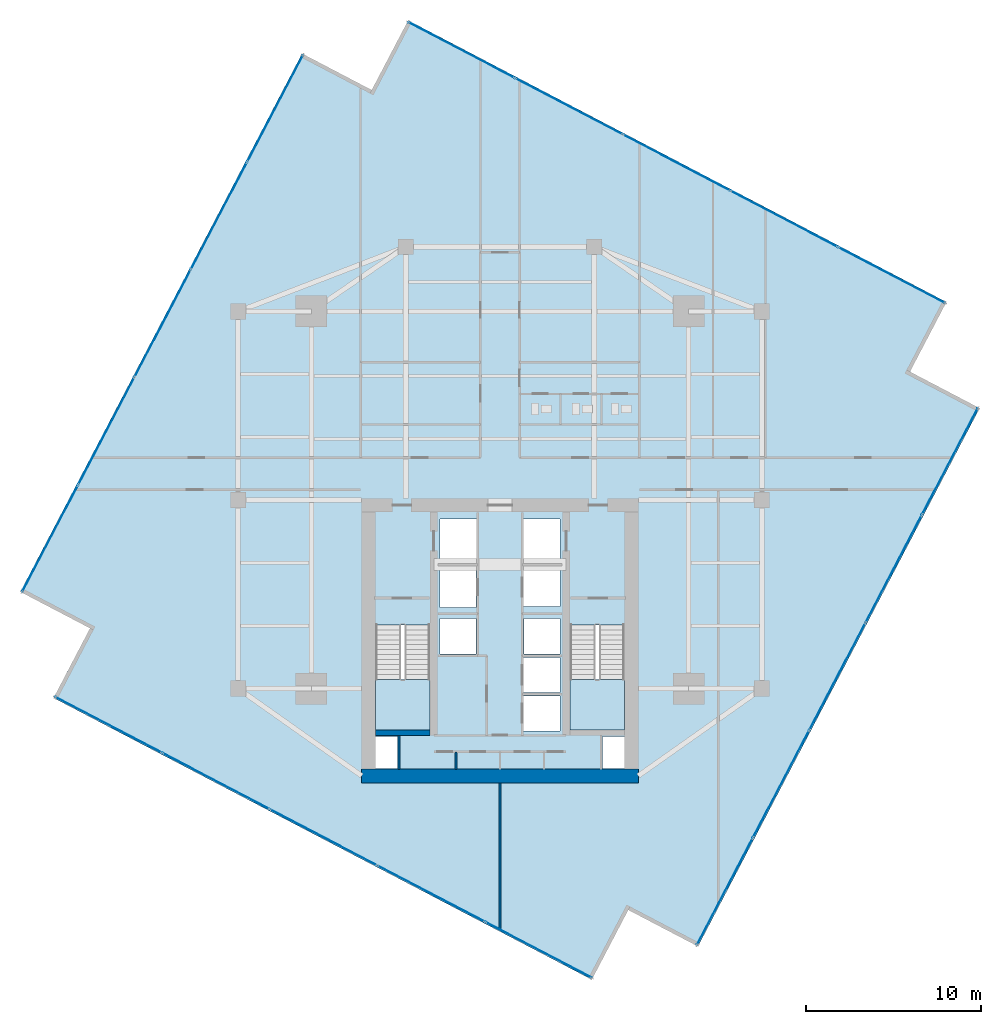
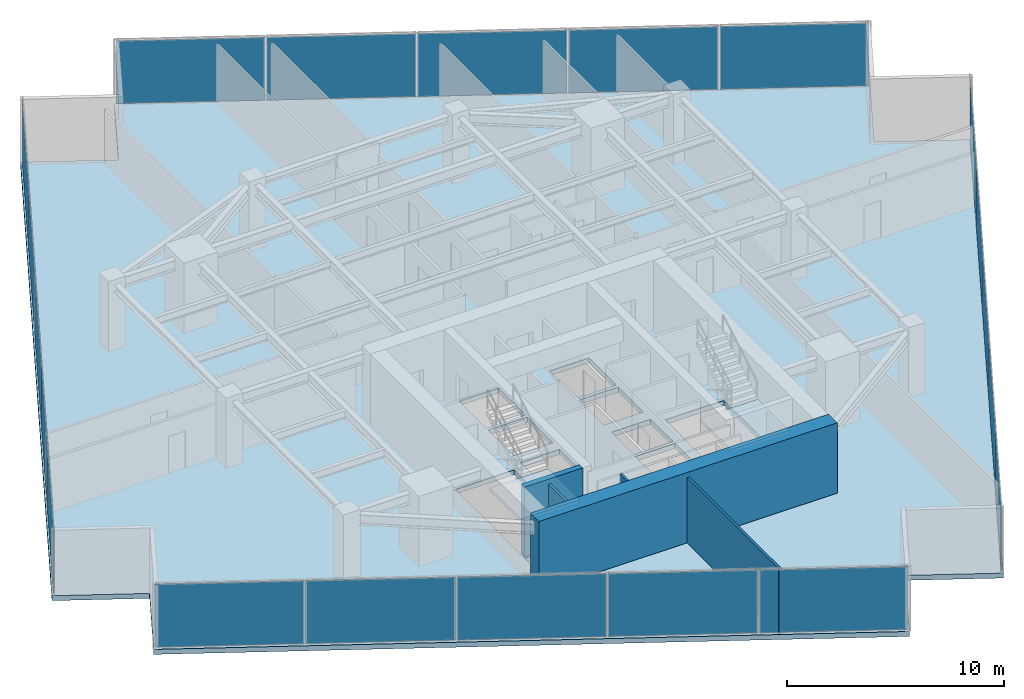
# One storey, part 22 of 27: 20 plates, 5 walls, 3 slabs, 6 elements without a shape of their own.
"""IFC4 building model written with IfcOpenShell, lengths in metres."""

from ifc_helpers import new_model, si_unit, direction, frame, frame_2d, origin, origin_2d, place, context, subcontext, project, spatial, polyline, rectangle, outline, extrude, source, transform, mapped, material, layer, layer_set, type_object, type_shapes, element, aggregate, save


model = new_model("IFC4")

# Units and contexts
model_context = context("Model", 3, precision=1e-05, world=origin(), true_north=direction((0.0, 1.0)))
body_context = subcontext(model_context, "Body", "Model", "MODEL_VIEW")
ifc_project = project(units=[si_unit("LENGTHUNIT", "METRE"), si_unit("AREAUNIT", "SQUARE_METRE"), si_unit("VOLUMEUNIT", "CUBIC_METRE"), si_unit("PLANEANGLEUNIT", "RADIAN"), si_unit("MASSUNIT", "GRAM", prefix="KILO")], contexts=[model_context])

# Site, building, storey
site_placement = place(None, origin())
site = spatial("IfcSite", under=ifc_project, at=site_placement, CompositionType="ELEMENT")
building_placement = place(site_placement, origin())
building = spatial("IfcBuilding", under=site, at=building_placement, Name="Krantzveldt Concourse Tower", CompositionType="ELEMENT")
storey_placement = place(building_placement, frame((0.0, 0.0, 158.050048828125)))
storey = spatial("IfcBuildingStorey", under=building, at=storey_placement, Name="L38", CompositionType="ELEMENT", Elevation=158.050048828125)

# Stair, slab
ifc_material_1 = material(Name="Precast concrete C40/50", Category="concrete")
stair_type = type_object("IfcStairType", Name="STR-CORE-DOGLEG", PredefinedType="HALF_TURN_STAIR", material=ifc_material_1)
stair_1_placement = place(storey_placement, origin())
stair_1 = element("IfcStair", 1, at=stair_1_placement, inside=storey, type_object=stair_type, Name="L38 Protected Escape Stair ST-1", PredefinedType="HALF_TURN_STAIR")
ifc_layer_1 = layer(ifc_material_1, 0.199951171875, Name="Precast concrete C40/50", Category="concrete")
ifc_layer_set_1 = layer_set([ifc_layer_1], Name="Precast concrete C40/50 (SL-LANDING-200)")
slab_type_1 = type_object("IfcSlabType", Name="SL-LANDING-200", PredefinedType="LANDING", material=ifc_layer_set_1)
slab_1_placement = place(storey_placement, frame((0.0, 0.0, 1.77490234375)))
slab_1 = element("IfcSlab", 2, at=slab_1_placement, type_object=slab_type_1, Name="ST-1 landing 1", PredefinedType="LANDING", context=body_context, shape_type="SweptSolid", body=[
    extrude(outline(polyline([(28.8798828125, 16.4150390625), (28.8798828125, 13.52001953125), (31.97998046875, 13.52001953125), (31.97998046875, 16.4150390625), (28.8798828125, 16.4150390625)])), origin(), (0.0, 0.0, 1.0), 0.199951171875),
])
aggregate(stair_1, [slab_1])

stair_2_placement = place(storey_placement, origin())
stair_2 = element("IfcStair", 3, at=stair_2_placement, inside=storey, type_object=stair_type, Name="L38 Protected Escape Stair ST-2", PredefinedType="HALF_TURN_STAIR")
slab_2_placement = place(storey_placement, frame((0.0, 0.0, 1.77490234375)))
slab_2 = element("IfcSlab", 4, at=slab_2_placement, type_object=slab_type_1, Name="ST-2 landing 1", PredefinedType="LANDING", context=body_context, shape_type="SweptSolid", body=[
    extrude(outline(polyline([(40.02001953125, 16.4150390625), (40.02001953125, 13.52001953125), (43.1201171875, 13.52001953125), (43.1201171875, 16.4150390625), (40.02001953125, 16.4150390625)])), origin(), (0.0, 0.0, 1.0), 0.199951171875),
])
aggregate(stair_2, [slab_2])

# Slab
ifc_material_2 = material(Name="Concrete C40/50", Category="concrete")
ifc_layer_2 = layer(ifc_material_2, 0.280029296875, Name="Concrete C40/50", Category="concrete")
ifc_layer_set_2 = layer_set([ifc_layer_2], Name="Concrete C40/50 (SL-SL-TWR280)")
slab_type_2 = type_object("IfcSlabType", Name="SL-SL-TWR280", PredefinedType="FLOOR", material=ifc_layer_set_2)
slab_3_placement = place(storey_placement, frame((0.0, 0.0, -0.280029296875)))
element("IfcSlab", 5, at=slab_3_placement, inside=storey, type_object=slab_type_2, Name="SL-L38-MAIN", PredefinedType="FLOOR", context=body_context, shape_type="SweptSolid", body=[
    extrude(outline(polyline([(28.651611328125, 50.1845703125), (24.66455078125, 52.27099609375), (8.528564453125, 21.438232421875), (12.515380859375, 19.3515625), (10.428955078125, 15.36474609375), (41.26171875, -0.771484375), (43.348388671875, 3.215576171875), (47.33544921875, 1.12890625), (63.471435546875, 31.961669921875), (59.484619140625, 34.04833984375), (61.571044921875, 38.035400390625), (30.73828125, 54.171630859375), (28.651611328125, 50.1845703125)]), holes=[polyline([(28.8798828125, 19.547607421875), (28.8798828125, 13.52001953125), (31.97998046875, 13.52001953125), (31.97998046875, 19.547607421875), (28.8798828125, 19.547607421875)]), polyline([(40.02001953125, 19.547607421875), (40.02001953125, 13.52001953125), (43.1201171875, 13.52001953125), (43.1201171875, 19.547607421875), (40.02001953125, 19.547607421875)]), polyline([(32.550048828125, 23.10009765625), (34.64990234375, 23.10009765625), (34.64990234375, 25.60009765625), (32.550048828125, 25.60009765625), (32.550048828125, 23.10009765625)]), polyline([(37.35009765625, 23.10009765625), (39.449951171875, 23.10009765625), (39.449951171875, 25.60009765625), (37.35009765625, 25.60009765625), (37.35009765625, 23.10009765625)]), polyline([(37.35009765625, 20.60009765625), (39.449951171875, 20.60009765625), (39.449951171875, 22.89990234375), (37.35009765625, 22.89990234375), (37.35009765625, 20.60009765625)]), polyline([(37.35009765625, 13.47998046875), (39.449951171875, 13.47998046875), (39.449951171875, 15.47998046875), (37.35009765625, 15.47998046875), (37.35009765625, 13.47998046875)]), polyline([(37.35009765625, 15.679931640625), (39.449951171875, 15.679931640625), (39.449951171875, 17.679931640625), (37.35009765625, 17.679931640625), (37.35009765625, 15.679931640625)]), polyline([(32.550048828125, 20.550048828125), (34.6201171875, 20.550048828125), (34.6201171875, 22.89990234375), (32.550048828125, 22.89990234375), (32.550048828125, 20.550048828125)]), polyline([(32.550048828125, 17.8798828125), (34.6201171875, 17.8798828125), (34.6201171875, 19.919921875), (32.550048828125, 19.919921875), (32.550048828125, 17.8798828125)]), polyline([(37.3798828125, 17.8798828125), (39.449951171875, 17.8798828125), (39.449951171875, 19.919921875), (37.3798828125, 19.919921875), (37.3798828125, 17.8798828125)]), polyline([(28.8798828125, 11.320068359375), (30.139892578125, 11.320068359375), (30.139892578125, 13.159912109375), (28.8798828125, 13.159912109375), (28.8798828125, 11.320068359375)]), polyline([(41.860107421875, 11.320068359375), (43.1201171875, 11.320068359375), (43.1201171875, 13.159912109375), (41.860107421875, 13.159912109375), (41.860107421875, 11.320068359375)])]), origin(), (0.0, 0.0, 1.0), 0.280029296875),
])

# Curtain wall, plates
ifc_material_3 = material(Name="Anodised aluminium 6063-T6", Category="aluminium")
curtain_wall_type = type_object("IfcCurtainWallType", Name="CW3", PredefinedType="USERDEFINED", material=ifc_material_3)
curtain_wall_1_placement = place(storey_placement, origin())
curtain_wall_1 = element("IfcCurtainWall", 6, at=curtain_wall_1_placement, inside=storey, type_object=curtain_wall_type, Name="CW-L38-F01", ObjectType="UNITISED CURTAIN WALL", PredefinedType="USERDEFINED")
ifc_material_4 = material(Name="Bronze-tinted laminated low-E IGU glass", Category="glass")
ifc_layer_3 = layer(ifc_material_4, 0.031982421875, Name="Bronze-tinted laminated low-E IGU glass", Category="glass")
ifc_layer_set_3 = layer_set([ifc_layer_3], Name="Bronze-tinted laminated low-E IGU glass (CW-GLZ-32)")
plate_type = type_object("IfcPlateType", Name="CW-GLZ-32", PredefinedType="CURTAIN_PANEL", material=ifc_layer_set_3)
shared_shape_1 = source(origin(), body_context, "Body", "SweptSolid", [
    extrude(rectangle(XDim=6.85498046875, YDim=0.031982421875, at=origin_2d()), origin(), (0.0, 0.0, 1.0), 3.530029296875),
])
plate_1_placement = place(storey_placement, frame((23.12255859375, 49.130615234375, 0.06982421875), z_axis=(0.0, 0.0, 1.0), x_axis=(-0.463682819502, -0.886001265743, 0.0)))
plate_1 = element("IfcPlate", 7, at=plate_1_placement, type_object=plate_type, Name="CW-Z34 panel 1.1", PredefinedType="CURTAIN_PANEL", context=body_context, shape_type="MappedRepresentation", body=[
    mapped(shared_shape_1, transform((0.0, 0.0, 0.0), x_axis=(1.0, 0.0, 0.0), y_axis=(0.0, 1.0, 0.0), z_axis=(0.0, 0.0, 1.0), scale=1.0)),
])
plate_2_placement = place(storey_placement, frame((10.22998046875, 24.495361328125, 0.06982421875), z_axis=(0.0, 0.0, 1.0), x_axis=(-0.463682819502, -0.886001265743, 0.0)))
plate_2 = element("IfcPlate", 8, at=plate_2_placement, type_object=plate_type, Name="CW-Z34 panel 5.1", PredefinedType="CURTAIN_PANEL", context=body_context, shape_type="MappedRepresentation", body=[
    mapped(shared_shape_1, transform((0.0, 0.0, 0.0), x_axis=(1.0, 0.0, 0.0), y_axis=(0.0, 1.0, 0.0), z_axis=(0.0, 0.0, 1.0), scale=1.0)),
])

curtain_wall_2_placement = place(storey_placement, origin())
curtain_wall_2 = element("IfcCurtainWall", 9, at=curtain_wall_2_placement, inside=storey, type_object=curtain_wall_type, Name="CW-L38-F04", ObjectType="UNITISED CURTAIN WALL", PredefinedType="USERDEFINED")
plate_3_placement = place(storey_placement, frame((13.5693359375, 13.82275390625, 0.06982421875), z_axis=(0.0, 0.0, 1.0), x_axis=(0.886001265743, -0.463682819502, 0.0)))
plate_3 = element("IfcPlate", 10, at=plate_3_placement, type_object=plate_type, Name="CW-Z34 panel 1.1", PredefinedType="CURTAIN_PANEL", context=body_context, shape_type="MappedRepresentation", body=[
    mapped(shared_shape_1, transform((0.0, 0.0, 0.0), x_axis=(1.0, 0.0, 0.0), y_axis=(0.0, 1.0, 0.0), z_axis=(0.0, 0.0, 1.0), scale=1.0)),
])
plate_4_placement = place(storey_placement, frame((38.20458984375, 0.929931640625, 0.06982421875), z_axis=(0.0, 0.0, 1.0), x_axis=(0.886001265743, -0.463682819502, 0.0)))
plate_4 = element("IfcPlate", 11, at=plate_4_placement, type_object=plate_type, Name="CW-Z34 panel 5.1", PredefinedType="CURTAIN_PANEL", context=body_context, shape_type="MappedRepresentation", body=[
    mapped(shared_shape_1, transform((0.0, 0.0, 0.0), x_axis=(1.0, 0.0, 0.0), y_axis=(0.0, 1.0, 0.0), z_axis=(0.0, 0.0, 1.0), scale=1.0)),
])

curtain_wall_3_placement = place(storey_placement, origin())
curtain_wall_3 = element("IfcCurtainWall", 12, at=curtain_wall_3_placement, inside=storey, type_object=curtain_wall_type, Name="CW-L38-F07", ObjectType="UNITISED CURTAIN WALL", PredefinedType="USERDEFINED")
plate_5_placement = place(storey_placement, frame((48.87744140625, 4.26953125, 0.06982421875), z_axis=(0.0, 0.0, 1.0), x_axis=(0.463682819502, 0.886001265743, 0.0)))
plate_5 = element("IfcPlate", 13, at=plate_5_placement, type_object=plate_type, Name="CW-Z34 panel 1.1", PredefinedType="CURTAIN_PANEL", context=body_context, shape_type="MappedRepresentation", body=[
    mapped(shared_shape_1, transform((0.0, 0.0, 0.0), x_axis=(1.0, 0.0, 0.0), y_axis=(0.0, 1.0, 0.0), z_axis=(0.0, 0.0, 1.0), scale=1.0)),
])
plate_6_placement = place(storey_placement, frame((61.77001953125, 28.90478515625, 0.06982421875), z_axis=(0.0, 0.0, 1.0), x_axis=(0.463682819502, 0.886001265743, 0.0)))
plate_6 = element("IfcPlate", 14, at=plate_6_placement, type_object=plate_type, Name="CW-Z34 panel 5.1", PredefinedType="CURTAIN_PANEL", context=body_context, shape_type="MappedRepresentation", body=[
    mapped(shared_shape_1, transform((0.0, 0.0, 0.0), x_axis=(1.0, 0.0, 0.0), y_axis=(0.0, 1.0, 0.0), z_axis=(0.0, 0.0, 1.0), scale=1.0)),
])

curtain_wall_4_placement = place(storey_placement, origin())
curtain_wall_4 = element("IfcCurtainWall", 15, at=curtain_wall_4_placement, inside=storey, type_object=curtain_wall_type, Name="CW-L38-F10", ObjectType="UNITISED CURTAIN WALL", PredefinedType="USERDEFINED")
plate_7_placement = place(storey_placement, frame((58.4306640625, 39.577392578125, 0.06982421875), z_axis=(0.0, 0.0, 1.0), x_axis=(-0.886001265743, 0.463682819502, 0.0)))
plate_7 = element("IfcPlate", 16, at=plate_7_placement, type_object=plate_type, Name="CW-Z34 panel 1.1", PredefinedType="CURTAIN_PANEL", context=body_context, shape_type="MappedRepresentation", body=[
    mapped(shared_shape_1, transform((0.0, 0.0, 0.0), x_axis=(1.0, 0.0, 0.0), y_axis=(0.0, 1.0, 0.0), z_axis=(0.0, 0.0, 1.0), scale=1.0)),
])
plate_8_placement = place(storey_placement, frame((33.79541015625, 52.469970703125, 0.06982421875), z_axis=(0.0, 0.0, 1.0), x_axis=(-0.886001265743, 0.463682819502, 0.0)))
plate_8 = element("IfcPlate", 17, at=plate_8_placement, type_object=plate_type, Name="CW-Z34 panel 5.1", PredefinedType="CURTAIN_PANEL", context=body_context, shape_type="MappedRepresentation", body=[
    mapped(shared_shape_1, transform((0.0, 0.0, 0.0), x_axis=(1.0, 0.0, 0.0), y_axis=(0.0, 1.0, 0.0), z_axis=(0.0, 0.0, 1.0), scale=1.0)),
])

# Plate
shared_shape_2 = source(origin(), body_context, "Body", "SweptSolid", [
    extrude(rectangle(XDim=6.889892578125, YDim=0.031982421875, at=origin_2d()), origin(), (0.0, 0.0, 1.0), 3.530029296875),
])
type_shapes(plate_type, [shared_shape_1, shared_shape_2])
plate_9_placement = place(storey_placement, frame((19.903564453125, 42.9794921875, 0.06982421875), z_axis=(0.0, 0.0, 1.0), x_axis=(-0.463682819502, -0.886001265743, 0.0)))
plate_9 = element("IfcPlate", 18, at=plate_9_placement, type_object=plate_type, Name="CW-Z34 panel 2.1", PredefinedType="CURTAIN_PANEL", context=body_context, shape_type="MappedRepresentation", body=[
    mapped(shared_shape_2, transform((0.0, 0.0, 0.0), x_axis=(1.0, 0.0, 0.0), y_axis=(0.0, 1.0, 0.0), z_axis=(0.0, 0.0, 1.0), scale=1.0)),
])

plate_10_placement = place(storey_placement, frame((16.67626953125, 36.81298828125, 0.06982421875), z_axis=(0.0, 0.0, 1.0), x_axis=(-0.463682819502, -0.886001265743, 0.0)))
plate_10 = element("IfcPlate", 19, at=plate_10_placement, type_object=plate_type, Name="CW-Z34 panel 3.1", PredefinedType="CURTAIN_PANEL", context=body_context, shape_type="MappedRepresentation", body=[
    mapped(shared_shape_2, transform((0.0, 0.0, 0.0), x_axis=(1.0, 0.0, 0.0), y_axis=(0.0, 1.0, 0.0), z_axis=(0.0, 0.0, 1.0), scale=1.0)),
])

plate_11_placement = place(storey_placement, frame((13.448974609375, 30.646240234375, 0.06982421875), z_axis=(0.0, 0.0, 1.0), x_axis=(-0.463682819502, -0.886001265743, 0.0)))
plate_11 = element("IfcPlate", 20, at=plate_11_placement, type_object=plate_type, Name="CW-Z34 panel 4.1", PredefinedType="CURTAIN_PANEL", context=body_context, shape_type="MappedRepresentation", body=[
    mapped(shared_shape_2, transform((0.0, 0.0, 0.0), x_axis=(1.0, 0.0, 0.0), y_axis=(0.0, 1.0, 0.0), z_axis=(0.0, 0.0, 1.0), scale=1.0)),
])

aggregate(curtain_wall_1, [plate_1, plate_9, plate_10, plate_11, plate_2])

plate_12_placement = place(storey_placement, frame((19.720458984375, 10.603515625, 0.06982421875), z_axis=(0.0, 0.0, 1.0), x_axis=(0.886001265743, -0.463682819502, 0.0)))
plate_12 = element("IfcPlate", 21, at=plate_12_placement, type_object=plate_type, Name="CW-Z34 panel 2.1", PredefinedType="CURTAIN_PANEL", context=body_context, shape_type="MappedRepresentation", body=[
    mapped(shared_shape_2, transform((0.0, 0.0, 0.0), x_axis=(1.0, 0.0, 0.0), y_axis=(0.0, 1.0, 0.0), z_axis=(0.0, 0.0, 1.0), scale=1.0)),
])

plate_13_placement = place(storey_placement, frame((25.886962890625, 7.376220703125, 0.06982421875), z_axis=(0.0, 0.0, 1.0), x_axis=(0.886001265743, -0.463682819502, 0.0)))
plate_13 = element("IfcPlate", 22, at=plate_13_placement, type_object=plate_type, Name="CW-Z34 panel 3.1", PredefinedType="CURTAIN_PANEL", context=body_context, shape_type="MappedRepresentation", body=[
    mapped(shared_shape_2, transform((0.0, 0.0, 0.0), x_axis=(1.0, 0.0, 0.0), y_axis=(0.0, 1.0, 0.0), z_axis=(0.0, 0.0, 1.0), scale=1.0)),
])

plate_14_placement = place(storey_placement, frame((32.0537109375, 4.149169921875, 0.06982421875), z_axis=(0.0, 0.0, 1.0), x_axis=(0.886001265743, -0.463682819502, 0.0)))
plate_14 = element("IfcPlate", 23, at=plate_14_placement, type_object=plate_type, Name="CW-Z34 panel 4.1", PredefinedType="CURTAIN_PANEL", context=body_context, shape_type="MappedRepresentation", body=[
    mapped(shared_shape_2, transform((0.0, 0.0, 0.0), x_axis=(1.0, 0.0, 0.0), y_axis=(0.0, 1.0, 0.0), z_axis=(0.0, 0.0, 1.0), scale=1.0)),
])

aggregate(curtain_wall_2, [plate_3, plate_12, plate_13, plate_14, plate_4])

plate_15_placement = place(storey_placement, frame((52.096435546875, 10.42041015625, 0.06982421875), z_axis=(0.0, 0.0, 1.0), x_axis=(0.463682819502, 0.886001265743, 0.0)))
plate_15 = element("IfcPlate", 24, at=plate_15_placement, type_object=plate_type, Name="CW-Z34 panel 2.1", PredefinedType="CURTAIN_PANEL", context=body_context, shape_type="MappedRepresentation", body=[
    mapped(shared_shape_2, transform((0.0, 0.0, 0.0), x_axis=(1.0, 0.0, 0.0), y_axis=(0.0, 1.0, 0.0), z_axis=(0.0, 0.0, 1.0), scale=1.0)),
])

plate_16_placement = place(storey_placement, frame((55.32373046875, 16.587158203125, 0.06982421875), z_axis=(0.0, 0.0, 1.0), x_axis=(0.463682819502, 0.886001265743, 0.0)))
plate_16 = element("IfcPlate", 25, at=plate_16_placement, type_object=plate_type, Name="CW-Z34 panel 3.1", PredefinedType="CURTAIN_PANEL", context=body_context, shape_type="MappedRepresentation", body=[
    mapped(shared_shape_2, transform((0.0, 0.0, 0.0), x_axis=(1.0, 0.0, 0.0), y_axis=(0.0, 1.0, 0.0), z_axis=(0.0, 0.0, 1.0), scale=1.0)),
])

plate_17_placement = place(storey_placement, frame((58.551025390625, 22.753662109375, 0.06982421875), z_axis=(0.0, 0.0, 1.0), x_axis=(0.463682819502, 0.886001265743, 0.0)))
plate_17 = element("IfcPlate", 26, at=plate_17_placement, type_object=plate_type, Name="CW-Z34 panel 4.1", PredefinedType="CURTAIN_PANEL", context=body_context, shape_type="MappedRepresentation", body=[
    mapped(shared_shape_2, transform((0.0, 0.0, 0.0), x_axis=(1.0, 0.0, 0.0), y_axis=(0.0, 1.0, 0.0), z_axis=(0.0, 0.0, 1.0), scale=1.0)),
])

aggregate(curtain_wall_3, [plate_5, plate_15, plate_16, plate_17, plate_6])

plate_18_placement = place(storey_placement, frame((52.279541015625, 42.79638671875, 0.06982421875), z_axis=(0.0, 0.0, 1.0), x_axis=(-0.886001265743, 0.463682819502, 0.0)))
plate_18 = element("IfcPlate", 27, at=plate_18_placement, type_object=plate_type, Name="CW-Z34 panel 2.1", PredefinedType="CURTAIN_PANEL", context=body_context, shape_type="MappedRepresentation", body=[
    mapped(shared_shape_2, transform((0.0, 0.0, 0.0), x_axis=(1.0, 0.0, 0.0), y_axis=(0.0, 1.0, 0.0), z_axis=(0.0, 0.0, 1.0), scale=1.0)),
])

plate_19_placement = place(storey_placement, frame((46.113037109375, 46.023681640625, 0.06982421875), z_axis=(0.0, 0.0, 1.0), x_axis=(-0.886001265743, 0.463682819502, 0.0)))
plate_19 = element("IfcPlate", 28, at=plate_19_placement, type_object=plate_type, Name="CW-Z34 panel 3.1", PredefinedType="CURTAIN_PANEL", context=body_context, shape_type="MappedRepresentation", body=[
    mapped(shared_shape_2, transform((0.0, 0.0, 0.0), x_axis=(1.0, 0.0, 0.0), y_axis=(0.0, 1.0, 0.0), z_axis=(0.0, 0.0, 1.0), scale=1.0)),
])

plate_20_placement = place(storey_placement, frame((39.9462890625, 49.2509765625, 0.06982421875), z_axis=(0.0, 0.0, 1.0), x_axis=(-0.886001265743, 0.463682819502, 0.0)))
plate_20 = element("IfcPlate", 29, at=plate_20_placement, type_object=plate_type, Name="CW-Z34 panel 4.1", PredefinedType="CURTAIN_PANEL", context=body_context, shape_type="MappedRepresentation", body=[
    mapped(shared_shape_2, transform((0.0, 0.0, 0.0), x_axis=(1.0, 0.0, 0.0), y_axis=(0.0, 1.0, 0.0), z_axis=(0.0, 0.0, 1.0), scale=1.0)),
])

aggregate(curtain_wall_4, [plate_7, plate_18, plate_19, plate_20, plate_8])

# Walls
ifc_material_5 = material(Name="Fire-rated gypsum plasterboard on steel stud", Category="steel")
ifc_layer_4 = layer(ifc_material_5, 0.1201171875, Name="Fire-rated gypsum plasterboard on steel stud", Category="steel")
ifc_layer_set_4 = layer_set([ifc_layer_4], Name="Fire-rated gypsum plasterboard on steel stud (WL-PART-120)")
wall_type_1 = type_object("IfcWallType", Name="WL-PART-120", PredefinedType="PARTITIONING", material=ifc_layer_set_4)
wall_1_placement = place(storey_placement, frame((33.469970703125, 11.25, 0.0), z_axis=(0.0, 0.0, 1.0), x_axis=(0.0, 1.0, 0.0)))
element("IfcWall", 30, at=wall_1_placement, inside=storey, type_object=wall_type_1, Name="WP-L38-CSD-V1", PredefinedType="PARTITIONING", context=body_context, shape_type="SweptSolid", body=[
    extrude(rectangle(XDim=1.030029296875, YDim=0.1201171875, at=frame_2d((0.51513671875, 0.0))), origin(), (0.0, 0.0, 1.0), 3.669921875),
])
wall_2_placement = place(storey_placement, frame((36.0, 2.083740234375, 0.0), z_axis=(0.0, 0.0, 1.0), x_axis=(0.0, 1.0, 0.0)))
element("IfcWall", 31, at=wall_2_placement, inside=storey, type_object=wall_type_1, Name="WP-L38-SMID", PredefinedType="PARTITIONING", context=body_context, shape_type="SweptSolid", body=[
    extrude(rectangle(XDim=8.416259765625, YDim=0.1201171875, at=frame_2d((4.2080078125, 0.0))), origin(), (0.0, 0.0, 1.0), 3.669921875),
])
ifc_layer_5 = layer(ifc_material_5, 0.139892578125, Name="Fire-rated gypsum plasterboard on steel stud", Category="steel")
ifc_layer_set_5 = layer_set([ifc_layer_5], Name="Fire-rated gypsum plasterboard on steel stud (WL-PART-FR140)")
wall_type_2 = type_object("IfcWallType", Name="WL-PART-FR140", PredefinedType="PARTITIONING", material=ifc_layer_set_5)
wall_3_placement = place(storey_placement, frame((30.219970703125, 11.25, 0.0), z_axis=(0.0, 0.0, 1.0), x_axis=(0.0, 1.0, 0.0)))
element("IfcWall", 32, at=wall_3_placement, inside=storey, type_object=wall_type_2, Name="WP-L38-RSW", PredefinedType="PARTITIONING", context=body_context, shape_type="SweptSolid", body=[
    extrude(rectangle(XDim=1.969970703125, YDim=0.1201171875, at=frame_2d((0.98486328125, 0.0))), origin(), (0.0, 0.0, 1.0), 3.669921875),
])
ifc_material_6 = material(Name="Concrete C50/60", Category="concrete")
ifc_layer_6 = layer(ifc_material_6, 0.300048828125, Name="Concrete C50/60", Category="concrete")
ifc_layer_set_6 = layer_set([ifc_layer_6], Name="Concrete C50/60 (WL-SHEAR-300)")
wall_type_3 = type_object("IfcWallType", Name="WL-SHEAR-300", PredefinedType="SHEAR", material=ifc_layer_set_6)
wall_4_placement = place(storey_placement, frame((28.8798828125, 13.3701171875, 0.0), z_axis=(0.0, 0.0, 1.0), x_axis=(1.0, 0.0, 0.0)))
element("IfcWall", 33, at=wall_4_placement, inside=storey, type_object=wall_type_3, Name="CW-L38-ST1S", PredefinedType="SHEAR", context=body_context, shape_type="SweptSolid", body=[
    extrude(rectangle(XDim=3.10009765625, YDim=0.300048828125, at=frame_2d((1.550048828125, 0.0))), origin(), (0.0, 0.0, 1.0), 3.949951171875),
])
ifc_material_7 = material(Name="Concrete C60/75", Category="concrete")
ifc_layer_7 = layer(ifc_material_7, 0.800048828125, Name="Concrete C60/75", Category="concrete")
ifc_layer_set_7 = layer_set([ifc_layer_7], Name="Concrete C60/75 (WL-SHEAR-800)")
wall_type_4 = type_object("IfcWallType", Name="WL-SHEAR-800", PredefinedType="SHEAR", material=ifc_layer_set_7)
wall_5_placement = place(storey_placement, frame((28.080078125, 10.89990234375, 0.0), z_axis=(0.0, 0.0, 1.0), x_axis=(1.0, 0.0, 0.0)))
element("IfcWall", 34, at=wall_5_placement, inside=storey, type_object=wall_type_4, Name="CW-L38-S", PredefinedType="SHEAR", context=body_context, shape_type="SweptSolid", body=[
    extrude(rectangle(XDim=15.83984375, YDim=0.800048828125, at=frame_2d((7.919921875, 0.0))), origin(), (0.0, 0.0, 1.0), 3.949951171875),
])

save(model, "model.ifc")
